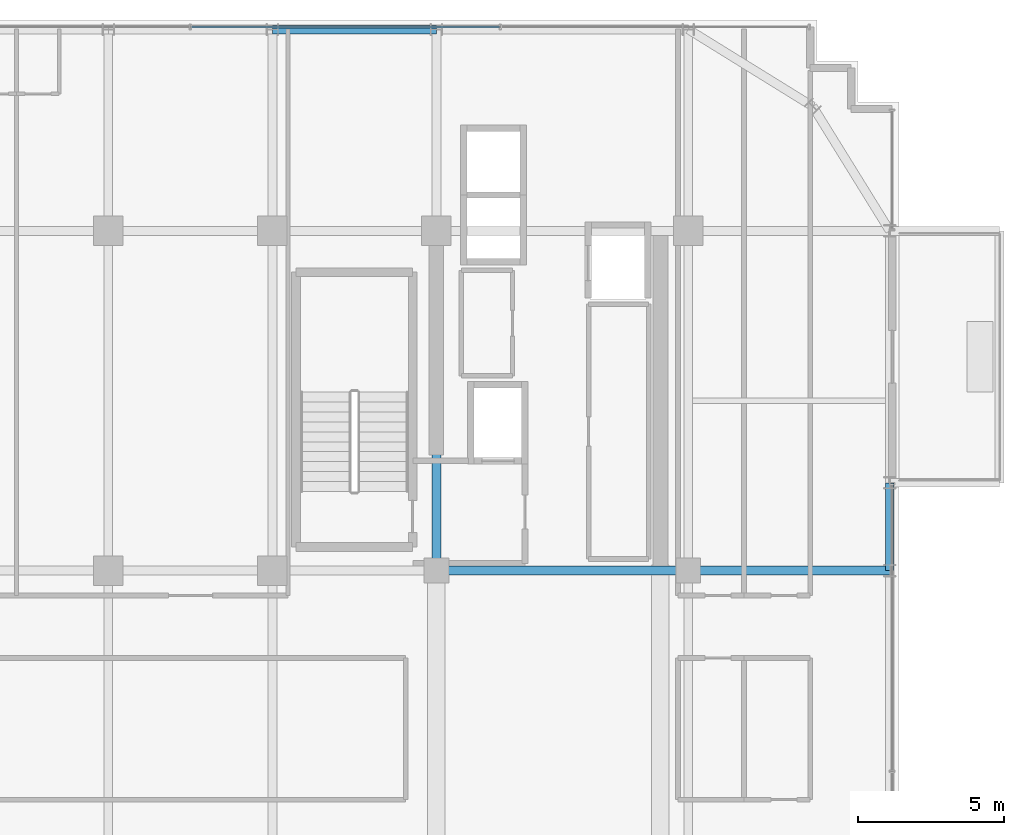
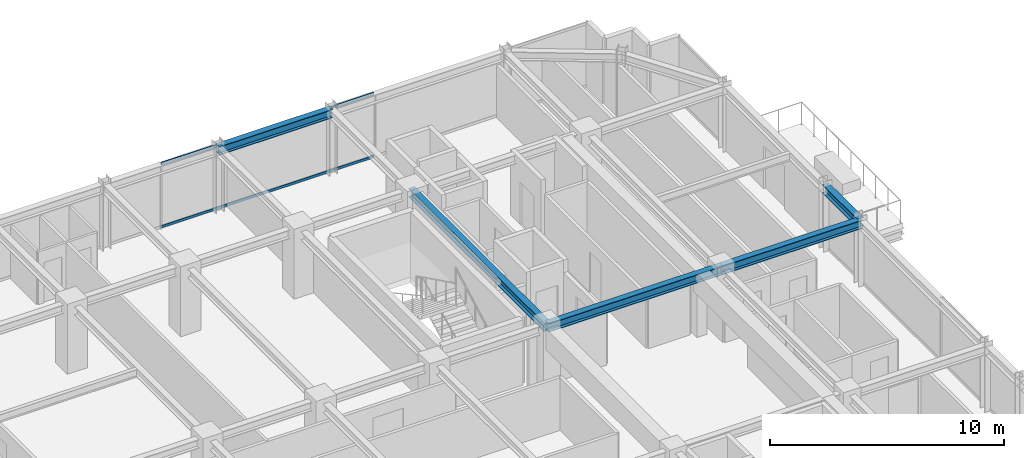
# One storey, part 22 of 34: 5 beams, 2 members, 1 element without a shape of its own.
"""IFC4 building model written with IfcOpenShell, lengths in metres."""

from ifc_helpers import new_model, si_unit, direction, frame, origin, origin_2d, place, context, subcontext, project, spatial, hollow_rectangle, i_section, extrude, source, transform, mapped, material, material_profile, profile_set, type_object, element, aggregate, save


model = new_model("IFC4")

# Units and contexts
model_context = context("Model", 3, precision=1e-05, world=origin(), true_north=direction((0.0, 1.0)))
body_context = subcontext(model_context, "Body", "Model", "MODEL_VIEW")
ifc_project = project(units=[si_unit("LENGTHUNIT", "METRE"), si_unit("AREAUNIT", "SQUARE_METRE"), si_unit("VOLUMEUNIT", "CUBIC_METRE"), si_unit("PLANEANGLEUNIT", "RADIAN"), si_unit("MASSUNIT", "GRAM", prefix="KILO")], contexts=[model_context])

# Site, building, storey
site_placement = place(None, origin())
site = spatial("IfcSite", under=ifc_project, at=site_placement, CompositionType="ELEMENT")
building_placement = place(site_placement, origin())
building = spatial("IfcBuilding", under=site, at=building_placement, Name="Nahalor Promenade Grand Hotel", CompositionType="ELEMENT")
storey_placement = place(building_placement, frame((0.0, 0.0, 238.199951171875)))
storey = spatial("IfcBuildingStorey", under=building, at=storey_placement, Name="L61", CompositionType="ELEMENT", Elevation=238.199951171875)

# Beams
ifc_material_1 = material(Name="Steel S355JR", Category="steel")
ifc_material_profile_1 = material_profile(ifc_material_1, i_section(OverallWidth=0.3, OverallDepth=0.45, WebThickness=0.014, FlangeThickness=0.026, at=origin_2d()), Name="HEB 450")
ifc_profile_set_1 = profile_set([ifc_material_profile_1], Name="Steel S355JR")
beam_type_1 = type_object("IfcBeamType", Name="Beam-Spandrel-HEB450", PredefinedType="SPANDREL", material=ifc_profile_set_1)
shared_shape_1 = source(origin(), body_context, "Body", "SweptSolid", [
    extrude(i_section(OverallWidth=0.3, OverallDepth=0.45, WebThickness=0.014, FlangeThickness=0.026, at=origin_2d()), origin(), (0.0, 0.0, 1.0), 5.599853515625),
])
beam_1_placement = place(storey_placement, frame((2.800048828125, 23.8798828125, 3.18505859375), z_axis=(1.0, 0.0, 0.0), x_axis=(0.0, 1.0, 0.0)))
element("IfcBeam", 1, at=beam_1_placement, inside=storey, type_object=beam_type_1, Name="BM-L61-SP-N-3", PredefinedType="SPANDREL", context=body_context, shape_type="MappedRepresentation", body=[
    mapped(shared_shape_1, transform((0.0, 0.0, 0.0), scale=1.0)),
])
shared_shape_2 = source(origin(), body_context, "Body", "SweptSolid", [
    extrude(i_section(OverallWidth=0.3, OverallDepth=0.45, WebThickness=0.014, FlangeThickness=0.026, at=origin_2d()), origin(), (0.0, 0.0, 1.0), 3.0),
])
beam_2_placement = place(storey_placement, frame((23.8798828125, 5.39990234375, 3.18505859375), z_axis=(0.0, 1.0, 0.0), x_axis=(-1.0, 0.0, 0.0)))
element("IfcBeam", 2, at=beam_2_placement, inside=storey, type_object=beam_type_1, Name="BM-L61-SP-E-3", PredefinedType="SPANDREL", context=body_context, shape_type="MappedRepresentation", body=[
    mapped(shared_shape_2, transform((0.0, 0.0, 0.0), scale=1.0)),
])
ifc_material_profile_2 = material_profile(ifc_material_1, i_section(OverallWidth=0.3, OverallDepth=0.45, WebThickness=0.014, FlangeThickness=0.026, at=origin_2d()), Name="HEB 450")
ifc_profile_set_2 = profile_set([ifc_material_profile_2], Name="Steel S355JR")
beam_type_2 = type_object("IfcBeamType", Name="Beam-Girder-HEB450", PredefinedType="BEAM", material=ifc_profile_set_2)
shared_shape_3 = source(origin(), body_context, "Body", "SweptSolid", [
    extrude(i_section(OverallWidth=0.3, OverallDepth=0.45, WebThickness=0.014, FlangeThickness=0.026, at=origin_2d()), origin(), (0.0, 0.0, 1.0), 6.8798828125),
])
beam_3_placement = place(storey_placement, frame((17.0, 5.39990234375, 3.18505859375), z_axis=(1.0, 0.0, 0.0), x_axis=(0.0, 1.0, 0.0)))
element("IfcBeam", 3, at=beam_3_placement, inside=storey, type_object=beam_type_2, Name="BM-L61-GX-2-6", PredefinedType="BEAM", context=body_context, shape_type="MappedRepresentation", body=[
    mapped(shared_shape_3, transform((0.0, 0.0, 0.0), scale=1.0)),
])
shared_shape_4 = source(origin(), body_context, "Body", "SweptSolid", [
    extrude(i_section(OverallWidth=0.3, OverallDepth=0.45, WebThickness=0.014, FlangeThickness=0.026, at=origin_2d()), origin(), (0.0, 0.0, 1.0), 8.60009765625),
])
beam_4_placement = place(storey_placement, frame((8.39990234375, 5.39990234375, 3.18505859375), z_axis=(1.0, 0.0, 0.0), x_axis=(0.0, 1.0, 0.0)))
element("IfcBeam", 4, at=beam_4_placement, inside=storey, type_object=beam_type_2, Name="BM-L61-GX-2-5", PredefinedType="BEAM", context=body_context, shape_type="MappedRepresentation", body=[
    mapped(shared_shape_4, transform((0.0, 0.0, 0.0), scale=1.0)),
])
shared_shape_5 = source(origin(), body_context, "Body", "SweptSolid", [
    extrude(i_section(OverallWidth=0.3, OverallDepth=0.45, WebThickness=0.014, FlangeThickness=0.026, at=origin_2d()), origin(), (0.0, 0.0, 1.0), 11.60009765625),
])
beam_5_placement = place(storey_placement, frame((8.39990234375, 5.39990234375, 3.18505859375), z_axis=(0.0, 1.0, 0.0), x_axis=(-1.0, 0.0, 0.0)))
element("IfcBeam", 5, at=beam_5_placement, inside=storey, type_object=beam_type_2, Name="BM-L61-GY-4-3", PredefinedType="BEAM", context=body_context, shape_type="MappedRepresentation", body=[
    mapped(shared_shape_5, transform((0.0, 0.0, 0.0), scale=1.0)),
])

# Curtain wall, members
ifc_material_2 = material(Name="Anodised Bronze Aluminium EN AW-6063 T6", Category="aluminium")
curtain_wall_type = type_object("IfcCurtainWallType", Name="CW2 Typical Hotel Flush Bronze Unitised Curtain Wall", PredefinedType="USERDEFINED", material=ifc_material_2)
curtain_wall_placement = place(storey_placement, origin())
curtain_wall = element("IfcCurtainWall", 6, at=curtain_wall_placement, inside=storey, type_object=curtain_wall_type, Name="L61 Curtain Wall CW-L61-N-1", ObjectType="UNITISED_CURTAIN_WALL", PredefinedType="USERDEFINED")
ifc_material_profile_3 = material_profile(ifc_material_2, hollow_rectangle(XDim=0.065, YDim=0.13, WallThickness=0.004, at=origin_2d()), Name="CWT 65x130x4")
ifc_profile_set_3 = profile_set([ifc_material_profile_3], Name="Anodised Bronze Aluminium EN AW-6063 T6")
member_type = type_object("IfcMemberType", Name="CWT2 Typical Bronze Transom 65x130", PredefinedType="USERDEFINED", material=ifc_profile_set_3)
shared_shape_6 = source(origin(), body_context, "Body", "SweptSolid", [
    extrude(hollow_rectangle(XDim=0.065, YDim=0.13, WallThickness=0.004, at=origin_2d()), origin(), (0.0, 0.0, 1.0), 10.51513671875),
])
member_1_placement = place(storey_placement, frame((0.032470703125, 23.9599609375, 0.06494140625), z_axis=(1.0, 0.0, 0.0), x_axis=(0.0, 1.0, 0.0)))
member_1 = element("IfcMember", 7, at=member_1_placement, type_object=member_type, Name="CW-L61-N-1 Transom 2-0", ObjectType="TRANSOM", PredefinedType="USERDEFINED", context=body_context, shape_type="MappedRepresentation", body=[
    mapped(shared_shape_6, transform((0.0, 0.0, 0.0), scale=1.0)),
])
member_2_placement = place(storey_placement, frame((0.032470703125, 23.9599609375, 3.344970703125), z_axis=(1.0, 0.0, 0.0), x_axis=(0.0, 1.0, 0.0)))
member_2 = element("IfcMember", 8, at=member_2_placement, type_object=member_type, Name="CW-L61-N-1 Transom 2-1", ObjectType="TRANSOM", PredefinedType="USERDEFINED", context=body_context, shape_type="MappedRepresentation", body=[
    mapped(shared_shape_6, transform((0.0, 0.0, 0.0), scale=1.0)),
])
aggregate(curtain_wall, [member_1, member_2])

save(model, "model.ifc")
